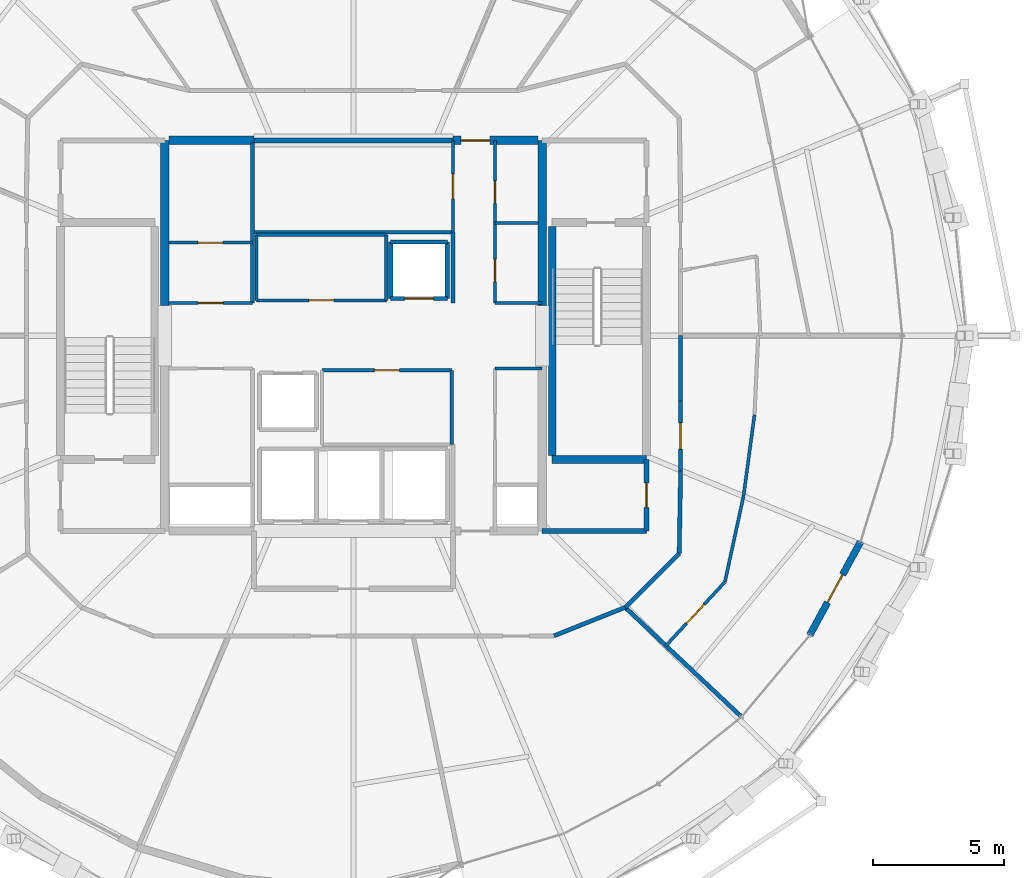
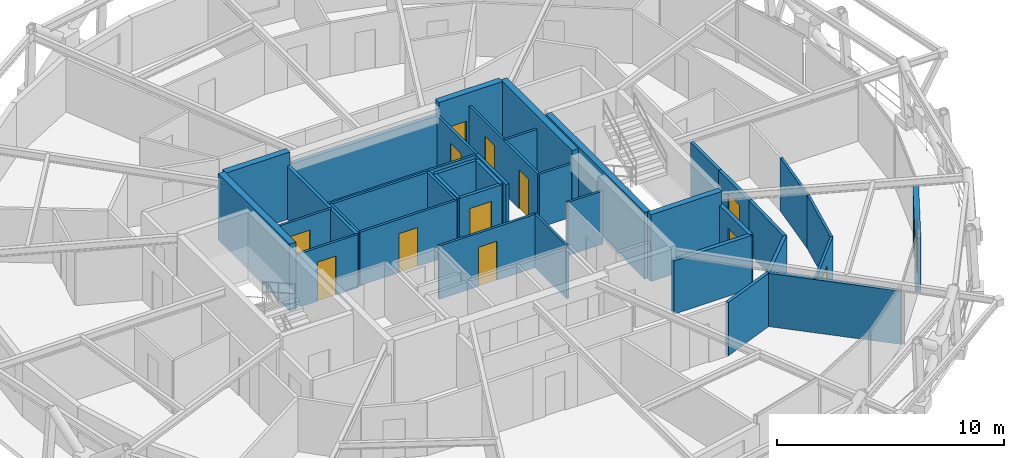
# One storey, part 15 of 18: 39 walls, 13 doors, 13 openings.
"""IFC4 building model written with IfcOpenShell, lengths in metres."""

from ifc_helpers import new_model, si_unit, direction, frame, frame_2d, origin, place, context, subcontext, project, spatial, rectangle, extrude, material, layer, layer_set, type_object, element, fill, save


model = new_model("IFC4")

# Units and contexts
model_context = context("Model", 3, precision=1e-05, world=origin(), true_north=direction((0.0, 1.0)))
body_context = subcontext(model_context, "Body", "Model", "MODEL_VIEW")
ifc_project = project(units=[si_unit("LENGTHUNIT", "METRE"), si_unit("AREAUNIT", "SQUARE_METRE"), si_unit("VOLUMEUNIT", "CUBIC_METRE"), si_unit("PLANEANGLEUNIT", "RADIAN"), si_unit("MASSUNIT", "GRAM", prefix="KILO")], contexts=[model_context])

# Site, building, storey
site_placement = place(None, origin())
site = spatial("IfcSite", under=ifc_project, at=site_placement, CompositionType="ELEMENT")
building_placement = place(site_placement, origin())
building = spatial("IfcBuilding", under=site, at=building_placement, Name="Veldorina Hangang Commons", CompositionType="ELEMENT")
storey_placement = place(building_placement, frame((0.0, 0.0, 243.60009765625)))
storey = spatial("IfcBuildingStorey", under=building, at=storey_placement, Name="L63", CompositionType="ELEMENT", Elevation=243.60009765625)

# Walls
ifc_material_1 = material(Name="Concrete C50/60", Category="concrete")
ifc_layer_1 = layer(ifc_material_1, 0.320068359375)
ifc_layer_set_1 = layer_set([ifc_layer_1], Name="Concrete C50/60")
wall_type_1 = type_object("IfcWallType", Name="CW-RC320-C50", PredefinedType="SHEAR", material=ifc_layer_set_1)
for number, where, z_axis, x_axis, name in (
    (1, (24.800048828125, 25.14990234375, 0.0), (0.0, 0.0, 1.0), (0.0, 1.0, 0.0), "L63 W north core shear wall"),
    (2, (39.199951171875, 25.14990234375, 0.0), (0.0, 0.0, 1.0), (0.0, 1.0, 0.0), "L63 E north core shear wall"),
):
    element("IfcWall", number, at=place(storey_placement, frame(where, z_axis=z_axis, x_axis=x_axis)), inside=storey, type_object=wall_type_1, Name=name, PredefinedType="SHEAR", context=body_context, shape_type="SweptSolid", body=[
        extrude(rectangle(XDim=6.300048828125, YDim=0.320068359375, at=frame_2d((3.14990234375, 0.0))), origin(), (0.0, 0.0, 1.0), 3.599853515625),
    ])
wall_1_placement = place(storey_placement, frame((24.9599609375, 31.449951171875, 0.0), z_axis=(0.0, 0.0, 1.0), x_axis=(1.0, 0.0, 0.0)))
element("IfcWall", 3, at=wall_1_placement, inside=storey, type_object=wall_type_1, Name="L63 north-west core shear wall", PredefinedType="SHEAR", context=body_context, shape_type="SweptSolid", body=[
    extrude(rectangle(XDim=3.239990234375, YDim=0.320068359375, at=frame_2d((1.6201171875, 0.0))), origin(), (0.0, 0.0, 1.0), 3.599853515625),
])

# Wall, opening, door
wall_2_placement = place(storey_placement, frame((35.800048828125, 31.449951171875, 0.0), z_axis=(0.0, 0.0, 1.0), x_axis=(1.0, 0.0, 0.0)))
wall_2 = element("IfcWall", 4, at=wall_2_placement, inside=storey, type_object=wall_type_1, Name="L63 north-east core shear wall", PredefinedType="SHEAR", context=body_context, shape_type="SweptSolid", body=[
    extrude(rectangle(XDim=3.239990234375, YDim=0.320068359375, at=frame_2d((1.6201171875, 0.0))), origin(), (0.0, 0.0, 1.0), 3.599853515625),
])
opening_1_placement = place(wall_2_placement, frame((0.300048828125, 0.0, 0.0)))
opening_1 = element("IfcOpeningElement", 5, at=opening_1_placement, cuts=wall_2, Name="Opening D-08", PredefinedType="OPENING", context=body_context, shape_type="SweptSolid", body=[
    extrude(rectangle(XDim=1.10009765625, YDim=2.10009765625, at=frame_2d((0.550048828125, 1.050048828125))), frame((0.0, 0.169921875, 0.0), z_axis=(0.0, -1.0, 0.0), x_axis=(1.0, 0.0, 0.0)), (0.0, 0.0, 1.0), 0.340087890625),
])
ifc_material_2 = material(Name="Steel Fire-Rated Smoke Seal", Category="steel")
door_type_1 = type_object("IfcDoorType", Name="DR-FIRE-1100", OperationType="SINGLE_SWING_RIGHT", PredefinedType="DOOR", material=ifc_material_2)
door_1_placement = place(opening_1_placement, origin())
door_1 = element("IfcDoor", 6, at=door_1_placement, inside=storey, type_object=door_type_1, Name="L63 central lift lobby north corridor door", OperationType="SINGLE_SWING_LEFT", OverallHeight=2.10009765625, OverallWidth=1.10009765625, PredefinedType="DOOR", context=body_context, shape_type="SweptSolid", body=[
    extrude(rectangle(XDim=1.10009765625, YDim=2.10009765625, at=frame_2d((0.550048828125, 1.050048828125))), frame((0.0, 0.02490234375, 0.0), z_axis=(0.0, -1.0, 0.0), x_axis=(1.0, 0.0, 0.0)), (0.0, 0.0, 1.0), 0.050048828125),
])
fill(opening_1, door_1)

ifc_material_3 = material(Name="Stone Roman Travertine", Category="masonry")
ifc_layer_2 = layer(ifc_material_3, 0.260009765625)
ifc_layer_set_2 = layer_set([ifc_layer_2], Name="Stone Roman Travertine")
wall_type_2 = type_object("IfcWallType", Name="EW-LOGGIA-260", PredefinedType="STANDARD", material=ifc_layer_set_2)
wall_3_placement = place(storey_placement, frame((49.4052734375, 12.576416015625, 0.0), z_axis=(0.0, 0.0, 1.0), x_axis=(0.4779981632, 0.878360834724, 0.0)))
wall_3 = element("IfcWall", 7, at=wall_3_placement, inside=storey, type_object=wall_type_2, Name="L63 sky-garden loggia portal wall 29", PredefinedType="STANDARD", context=body_context, shape_type="SweptSolid", body=[
    extrude(rectangle(XDim=4.047119140625, YDim=0.260009765625, at=frame_2d((2.0234375, 0.0))), origin(), (0.0, 0.0, 1.0), 2.8798828125),
])
opening_2_placement = place(wall_3_placement, frame((1.423583984375, 0.0, 0.0)))
opening_2 = element("IfcOpeningElement", 8, at=opening_2_placement, cuts=wall_3, Name="Opening BD-1200", PredefinedType="OPENING", context=body_context, shape_type="SweptSolid", body=[
    extrude(rectangle(XDim=1.199951171875, YDim=2.14990234375, at=frame_2d((0.60009765625, 1.074951171875))), frame((0.0, 0.14013671875, 0.0), z_axis=(0.0, -1.0, 0.0), x_axis=(1.0, 0.0, 0.0)), (0.0, 0.0, 1.0), 0.280029296875),
])
ifc_material_4 = material(Name="Glass Thermal Aluminium Frame", Category="aluminium")
door_type_2 = type_object("IfcDoorType", Name="DR-EXT-LOG1200", OperationType="SINGLE_SWING_LEFT", PredefinedType="DOOR", material=ifc_material_4)
door_2_placement = place(opening_2_placement, origin())
door_2 = element("IfcDoor", 9, at=door_2_placement, inside=storey, type_object=door_type_2, Name="L63 loggia glazed exterior door 29", OperationType="SINGLE_SWING_RIGHT", OverallHeight=2.14990234375, OverallWidth=1.199951171875, PredefinedType="DOOR", context=body_context, shape_type="SweptSolid", body=[
    extrude(rectangle(XDim=1.199951171875, YDim=2.14990234375, at=frame_2d((0.60009765625, 1.074951171875))), frame((0.0, 0.02490234375, 0.0), z_axis=(0.0, -1.0, 0.0), x_axis=(1.0, 0.0, 0.0)), (0.0, 0.0, 1.0), 0.050048828125),
])
fill(opening_2, door_2)

# Walls
ifc_layer_3 = layer(ifc_material_1, 0.300048828125)
ifc_layer_set_3 = layer_set([ifc_layer_3], Name="Concrete C50/60")
wall_type_3 = type_object("IfcWallType", Name="SW-STAIR-300", PredefinedType="SHEAR", material=ifc_layer_set_3)
wall_4_placement = place(storey_placement, frame((39.580078125, 19.429931640625, 0.0), z_axis=(0.0, 0.0, 1.0), x_axis=(0.0, 1.0, 0.0)))
element("IfcWall", 10, at=wall_4_placement, inside=storey, type_object=wall_type_3, Name="L63 ST2 inner stair shear wall", PredefinedType="SHEAR", context=body_context, shape_type="SweptSolid", body=[
    extrude(rectangle(XDim=8.739990234375, YDim=0.300048828125, at=frame_2d((4.3701171875, 0.0))), origin(), (0.0, 0.0, 1.0), 3.599853515625),
])
wall_5_placement = place(storey_placement, frame((39.580078125, 19.280029296875, 0.0), z_axis=(0.0, 0.0, 1.0), x_axis=(1.0, 0.0, 0.0)))
element("IfcWall", 11, at=wall_5_placement, inside=storey, type_object=wall_type_3, Name="L63 ST2 south stair shear wall", PredefinedType="SHEAR", context=body_context, shape_type="SweptSolid", body=[
    extrude(rectangle(XDim=3.599853515625, YDim=0.300048828125, at=frame_2d((1.7998046875, 0.0))), origin(), (0.0, 0.0, 1.0), 3.599853515625),
])
ifc_material_5 = material(Name="Gypsum Fire-Rated Twin Stud Wall", Category="gypsum")
ifc_layer_4 = layer(ifc_material_5, 0.159912109375)
ifc_layer_set_4 = layer_set([ifc_layer_4], Name="Gypsum Fire-Rated Twin Stud Wall")
wall_type_4 = type_object("IfcWallType", Name="WL-FIRE-160", PredefinedType="SOLIDWALL", material=ifc_layer_set_4)
wall_6_placement = place(storey_placement, frame((35.800048828125, 25.25, 0.0), z_axis=(0.0, 0.0, 1.0), x_axis=(0.0, 1.0, 0.0)))
element("IfcWall", 12, at=wall_6_placement, inside=storey, type_object=wall_type_4, Name="L63 Lift passage NW lower wall 011", PredefinedType="SOLIDWALL", context=body_context, shape_type="SweptSolid", body=[
    extrude(rectangle(XDim=2.699951171875, YDim=0.159912109375, at=frame_2d((1.35009765625, 0.0))), origin(), (0.0, 0.0, 1.0), 2.869873046875),
])

# Wall, opening, door
wall_7_placement = place(storey_placement, frame((33.419921875, 25.419921875, 0.0), z_axis=(0.0, 0.0, 1.0), x_axis=(1.0, 0.0, 0.0)))
wall_7 = element("IfcWall", 13, at=wall_7_placement, inside=storey, type_object=wall_type_4, Name="L63 Mid-high front shaft wall 015", PredefinedType="SOLIDWALL", context=body_context, shape_type="SweptSolid", body=[
    extrude(rectangle(XDim=2.16015625, YDim=0.159912109375, at=frame_2d((1.080078125, 0.0))), origin(), (0.0, 0.0, 1.0), 2.869873046875),
])
opening_3_placement = place(wall_7_placement, frame((0.530029296875, 0.0, 0.0)))
opening_3 = element("IfcOpeningElement", 14, at=opening_3_placement, cuts=wall_7, Name="Opening LD-01", PredefinedType="OPENING", context=body_context, shape_type="SweptSolid", body=[
    extrude(rectangle(XDim=1.10009765625, YDim=2.14990234375, at=frame_2d((0.550048828125, 1.074951171875))), frame((0.0, 0.08984375, 0.0), z_axis=(0.0, -1.0, 0.0), x_axis=(1.0, 0.0, 0.0)), (0.0, 0.0, 1.0), 0.179931640625),
])
ifc_material_6 = material(Name="Stainless Steel Brushed Lift Door", Category="steel")
door_type_3 = type_object("IfcDoorType", Name="DR-LIFT-1100", OperationType="SLIDING_TO_LEFT", PredefinedType="DOOR", material=ifc_material_6)
door_3_placement = place(opening_3_placement, origin())
door_3 = element("IfcDoor", 15, at=door_3_placement, inside=storey, type_object=door_type_3, Name="L63 Lift PL-H1 landing door 006", OperationType="SLIDING_TO_RIGHT", OverallHeight=2.14990234375, OverallWidth=1.10009765625, PredefinedType="DOOR", context=body_context, shape_type="SweptSolid", body=[
    extrude(rectangle(XDim=1.10009765625, YDim=2.14990234375, at=frame_2d((0.550048828125, 1.074951171875))), frame((0.0, 0.02490234375, 0.0), z_axis=(0.0, -1.0, 0.0), x_axis=(1.0, 0.0, 0.0)), (0.0, 0.0, 1.0), 0.050048828125),
])
fill(opening_3, door_3)

# Walls
for number, where, z_axis, x_axis, name in (
    (16, (33.419921875, 27.580078125, 0.0), (0.0, 0.0, 1.0), (1.0, 0.0, 0.0), "L63 Mid-high rear shaft wall 016"),
    (17, (33.419921875, 25.419921875, 0.0), (0.0, 0.0, 1.0), (0.0, 1.0, 0.0), "L63 PL-H1 west shaft wall 017"),
    (18, (35.580078125, 25.419921875, 0.0), (0.0, 0.0, 1.0), (0.0, 1.0, 0.0), "L63 PL-H1 east shaft wall 018"),
):
    element("IfcWall", number, at=place(storey_placement, frame(where, z_axis=z_axis, x_axis=x_axis)), inside=storey, type_object=wall_type_4, Name=name, PredefinedType="SOLIDWALL", context=body_context, shape_type="SweptSolid", body=[
        extrude(rectangle(XDim=2.16015625, YDim=0.159912109375, at=frame_2d((1.080078125, 0.0))), origin(), (0.0, 0.0, 1.0), 2.869873046875),
    ])
wall_8_placement = place(storey_placement, frame((28.14990234375, 25.25, 0.0), z_axis=(0.0, 0.0, 1.0), x_axis=(0.0, 1.0, 0.0)))
element("IfcWall", 19, at=wall_8_placement, inside=storey, type_object=wall_type_4, Name="L63 NW core inner wall 043", PredefinedType="SOLIDWALL", context=body_context, shape_type="SweptSolid", body=[
    extrude(rectangle(XDim=6.10009765625, YDim=0.159912109375, at=frame_2d((3.050048828125, 0.0))), origin(), (0.0, 0.0, 1.0), 2.869873046875),
])
wall_9_placement = place(storey_placement, frame((39.650634765625, 12.550048828125, 0.0), z_axis=(0.0, 0.0, 1.0), x_axis=(0.92856882165, 0.371160266542, 0.0)))
element("IfcWall", 20, at=wall_9_placement, inside=storey, type_object=wall_type_4, Name="L63 Compact collar outer wall 27 079", PredefinedType="SOLIDWALL", context=body_context, shape_type="SweptSolid", body=[
    extrude(rectangle(XDim=2.923095703125, YDim=0.159912109375, at=frame_2d((1.46142578125, 0.0))), origin(), (0.0, 0.0, 1.0), 2.869873046875),
])
wall_10_placement = place(storey_placement, frame((42.364990234375, 13.635009765625, 0.0), z_axis=(0.0, 0.0, 1.0), x_axis=(0.707106781187, 0.707106781187, 0.0)))
element("IfcWall", 21, at=wall_10_placement, inside=storey, type_object=wall_type_4, Name="L63 Compact collar outer wall 28 080", PredefinedType="SOLIDWALL", context=body_context, shape_type="SweptSolid", body=[
    extrude(rectangle(XDim=2.915771484375, YDim=0.159912109375, at=frame_2d((1.4580078125, 0.0))), origin(), (0.0, 0.0, 1.0), 2.869873046875),
])
wall_11_placement = place(storey_placement, frame((44.4267578125, 15.69677734375, 0.0), z_axis=(0.0, 0.0, 1.0), x_axis=(0.016981035134, 0.999855811828, 0.0)))
element("IfcWall", 22, at=wall_11_placement, inside=storey, type_object=wall_type_4, Name="L63 Compact collar outer wall 29 081", PredefinedType="SOLIDWALL", context=body_context, shape_type="SweptSolid", body=[
    extrude(rectangle(XDim=3.13427734375, YDim=0.159912109375, at=frame_2d((1.567138671875, 0.0))), origin(), (0.0, 0.0, 1.0), 2.869873046875),
])

# Wall, opening, door
wall_12_placement = place(storey_placement, frame((44.47998046875, 18.83056640625, 0.0), z_axis=(0.0, 0.0, 1.0), x_axis=(0.0, 1.0, 0.0)))
wall_12 = element("IfcWall", 23, at=wall_12_placement, inside=storey, type_object=wall_type_4, Name="L63 Compact collar outer wall 30 082", PredefinedType="SOLIDWALL", context=body_context, shape_type="SweptSolid", body=[
    extrude(rectangle(XDim=2.68701171875, YDim=0.159912109375, at=frame_2d((1.343505859375, 0.0))), origin(), (0.0, 0.0, 1.0), 2.869873046875),
])
opening_4_placement = place(wall_12_placement, frame((0.843505859375, 0.0, 0.0)))
opening_4 = element("IfcOpeningElement", 24, at=opening_4_placement, cuts=wall_12, Name="Opening D-05", PredefinedType="OPENING", context=body_context, shape_type="SweptSolid", body=[
    extrude(rectangle(XDim=1.0, YDim=2.10009765625, at=frame_2d((0.5, 1.050048828125))), frame((0.0, 0.08984375, 0.0), z_axis=(0.0, -1.0, 0.0), x_axis=(1.0, 0.0, 0.0)), (0.0, 0.0, 1.0), 0.179931640625),
])
ifc_material_7 = material(Name="Timber Solid Core Acoustic", Category="wood")
door_type_4 = type_object("IfcDoorType", Name="DR-INT-1000", OperationType="SINGLE_SWING_RIGHT", PredefinedType="DOOR", material=ifc_material_7)
door_4_placement = place(opening_4_placement, origin())
door_4 = element("IfcDoor", 25, at=door_4_placement, inside=storey, type_object=door_type_4, Name="L63 Commons alcove door 020", OperationType="SINGLE_SWING_RIGHT", OverallHeight=2.10009765625, OverallWidth=1.0, PredefinedType="DOOR", context=body_context, shape_type="SweptSolid", body=[
    extrude(rectangle(XDim=1.0, YDim=2.10009765625, at=frame_2d((0.5, 1.050048828125))), frame((0.0, 0.02490234375, 0.0), z_axis=(0.0, -1.0, 0.0), x_axis=(1.0, 0.0, 0.0)), (0.0, 0.0, 1.0), 0.050048828125),
])
fill(opening_4, door_4)

# Walls
wall_13_placement = place(storey_placement, frame((44.47998046875, 21.517578125, 0.0), z_axis=(0.0, 0.0, 1.0), x_axis=(0.0, 1.0, 0.0)))
element("IfcWall", 26, at=wall_13_placement, inside=storey, type_object=wall_type_4, Name="L63 Compact collar outer wall 31 083", PredefinedType="SOLIDWALL", context=body_context, shape_type="SweptSolid", body=[
    extrude(rectangle(XDim=2.482421875, YDim=0.159912109375, at=frame_2d((1.2412109375, 0.0))), origin(), (0.0, 0.0, 1.0), 2.869873046875),
])
wall_14_placement = place(storey_placement, frame((42.364990234375, 13.635009765625, 0.0), z_axis=(0.0, 0.0, 1.0), x_axis=(0.728335212041, -0.685221000044, 0.0)))
element("IfcWall", 27, at=wall_14_placement, inside=storey, type_object=wall_type_4, Name="L63 Unit party wall 28 084", PredefinedType="SOLIDWALL", context=body_context, shape_type="SweptSolid", body=[
    extrude(rectangle(XDim=6.0419921875, YDim=0.159912109375, at=frame_2d((3.02099609375, 0.0))), origin(), (0.0, 0.0, 1.0), 2.869873046875),
])

# Wall, opening, door
ifc_material_8 = material(Name="Concrete Blockwork Fire Wall C30/37", Category="masonry")
ifc_layer_5 = layer(ifc_material_8, 0.199951171875)
ifc_layer_set_5 = layer_set([ifc_layer_5], Name="Concrete Blockwork Fire Wall C30/37")
wall_type_5 = type_object("IfcWallType", Name="WL-FIRE-200", PredefinedType="SOLIDWALL", material=ifc_layer_set_5)
wall_15_placement = place(storey_placement, frame((43.179931640625, 16.550048828125, 0.0), z_axis=(0.0, 0.0, 1.0), x_axis=(0.0, 1.0, 0.0)))
wall_15 = element("IfcWall", 28, at=wall_15_placement, inside=storey, type_object=wall_type_5, Name="L63 SE core room outer wall 007", PredefinedType="SOLIDWALL", context=body_context, shape_type="SweptSolid", body=[
    extrude(rectangle(XDim=2.72998046875, YDim=0.199951171875, at=frame_2d((1.364990234375, 0.0))), origin(), (0.0, 0.0, 1.0), 2.869873046875),
])
opening_5_placement = place(wall_15_placement, frame((0.889892578125, 0.0, 0.0)))
opening_5 = element("IfcOpeningElement", 29, at=opening_5_placement, cuts=wall_15, Name="Opening D-02", PredefinedType="OPENING", context=body_context, shape_type="SweptSolid", body=[
    extrude(rectangle(XDim=0.949951171875, YDim=2.10009765625, at=frame_2d((0.47509765625, 1.050048828125))), frame((0.0, 0.10986328125, 0.0), z_axis=(0.0, -1.0, 0.0), x_axis=(1.0, 0.0, 0.0)), (0.0, 0.0, 1.0), 0.219970703125),
])
door_type_5 = type_object("IfcDoorType", Name="DR-INT-950", OperationType="SINGLE_SWING_LEFT", PredefinedType="DOOR", material=ifc_material_7)
door_5_placement = place(opening_5_placement, origin())
door_5 = element("IfcDoor", 30, at=door_5_placement, inside=storey, type_object=door_type_5, Name="L63 SE core WC door 004", OperationType="SINGLE_SWING_RIGHT", OverallHeight=2.10009765625, OverallWidth=0.949951171875, PredefinedType="DOOR", context=body_context, shape_type="SweptSolid", body=[
    extrude(rectangle(XDim=0.949951171875, YDim=2.10009765625, at=frame_2d((0.47509765625, 1.050048828125))), frame((0.0, 0.02490234375, 0.0), z_axis=(0.0, -1.0, 0.0), x_axis=(1.0, 0.0, 0.0)), (0.0, 0.0, 1.0), 0.050048828125),
])
fill(opening_5, door_5)

# Walls
wall_16_placement = place(storey_placement, frame((39.199951171875, 16.550048828125, 0.0), z_axis=(0.0, 0.0, 1.0), x_axis=(1.0, 0.0, 0.0)))
element("IfcWall", 31, at=wall_16_placement, inside=storey, type_object=wall_type_5, Name="L63 SE core room south wall 008", PredefinedType="SOLIDWALL", context=body_context, shape_type="SweptSolid", body=[
    extrude(rectangle(XDim=3.97998046875, YDim=0.199951171875, at=frame_2d((1.989990234375, 0.0))), origin(), (0.0, 0.0, 1.0), 2.869873046875),
])
wall_17_placement = place(storey_placement, frame((28.199951171875, 31.449951171875, 0.0), z_axis=(0.0, 0.0, 1.0), x_axis=(1.0, 0.0, 0.0)))
element("IfcWall", 32, at=wall_17_placement, inside=storey, type_object=wall_type_5, Name="L63 Merged north core wall 029", PredefinedType="SOLIDWALL", context=body_context, shape_type="SweptSolid", body=[
    extrude(rectangle(XDim=7.60009765625, YDim=0.199951171875, at=frame_2d((3.800048828125, 0.0))), origin(), (0.0, 0.0, 1.0), 2.869873046875),
])
ifc_material_9 = material(Name="Gypsum Acoustic Stud Partition", Category="gypsum")
ifc_layer_6 = layer(ifc_material_9, 0.1201171875)
ifc_layer_set_6 = layer_set([ifc_layer_6], Name="Gypsum Acoustic Stud Partition")
wall_type_6 = type_object("IfcWallType", Name="WL-PART-120", PredefinedType="PARTITIONING", material=ifc_layer_set_6)
wall_18_placement = place(storey_placement, frame((28.199951171875, 27.949951171875, 0.0), z_axis=(0.0, 0.0, 1.0), x_axis=(1.0, 0.0, 0.0)))
element("IfcWall", 33, at=wall_18_placement, inside=storey, type_object=wall_type_6, Name="L63 Merged north south wall 030", PredefinedType="PARTITIONING", context=body_context, shape_type="SweptSolid", body=[
    extrude(rectangle(XDim=7.60009765625, YDim=0.1201171875, at=frame_2d((3.800048828125, 0.0))), origin(), (0.0, 0.0, 1.0), 2.869873046875),
])

# Wall, opening, door
wall_19_placement = place(storey_placement, frame((35.800048828125, 27.949951171875, 0.0), z_axis=(0.0, 0.0, 1.0), x_axis=(0.0, 1.0, 0.0)))
wall_19 = element("IfcWall", 34, at=wall_19_placement, inside=storey, type_object=wall_type_6, Name="L63 Merged north east wall 031", PredefinedType="PARTITIONING", context=body_context, shape_type="SweptSolid", body=[
    extrude(rectangle(XDim=3.5, YDim=0.1201171875, at=frame_2d((1.75, 0.0))), origin(), (0.0, 0.0, 1.0), 2.869873046875),
])
opening_6_placement = place(wall_19_placement, frame((1.27490234375, 0.0, 0.0)))
opening_6 = element("IfcOpeningElement", 35, at=opening_6_placement, cuts=wall_19, Name="Opening D-02", PredefinedType="OPENING", context=body_context, shape_type="SweptSolid", body=[
    extrude(rectangle(XDim=0.949951171875, YDim=2.10009765625, at=frame_2d((0.47509765625, 1.050048828125))), frame((0.0, 0.070068359375, 0.0), z_axis=(0.0, -1.0, 0.0), x_axis=(1.0, 0.0, 0.0)), (0.0, 0.0, 1.0), 0.14013671875),
])
door_6_placement = place(opening_6_placement, origin())
door_6 = element("IfcDoor", 36, at=door_6_placement, inside=storey, type_object=door_type_5, Name="L63 Merged north room lobby door 011", OperationType="SINGLE_SWING_LEFT", OverallHeight=2.10009765625, OverallWidth=0.949951171875, PredefinedType="DOOR", context=body_context, shape_type="SweptSolid", body=[
    extrude(rectangle(XDim=0.949951171875, YDim=2.10009765625, at=frame_2d((0.47509765625, 1.050048828125))), frame((0.0, 0.02490234375, 0.0), z_axis=(0.0, -1.0, 0.0), x_axis=(1.0, 0.0, 0.0)), (0.0, 0.0, 1.0), 0.050048828125),
])
fill(opening_6, door_6)

wall_20_placement = place(storey_placement, frame((28.300048828125, 25.35009765625, 0.0), z_axis=(0.0, 0.0, 1.0), x_axis=(1.0, 0.0, 0.0)))
wall_20 = element("IfcWall", 37, at=wall_20_placement, inside=storey, type_object=wall_type_6, Name="L63 Merged mid-bank south wall 032", PredefinedType="PARTITIONING", context=body_context, shape_type="SweptSolid", body=[
    extrude(rectangle(XDim=4.949951171875, YDim=0.1201171875, at=frame_2d((2.47509765625, 0.0))), origin(), (0.0, 0.0, 1.0), 2.869873046875),
])
opening_7_placement = place(wall_20_placement, frame((2.0, 0.0, 0.0)))
opening_7 = element("IfcOpeningElement", 38, at=opening_7_placement, cuts=wall_20, Name="Opening D-02", PredefinedType="OPENING", context=body_context, shape_type="SweptSolid", body=[
    extrude(rectangle(XDim=0.949951171875, YDim=2.10009765625, at=frame_2d((0.47509765625, 1.050048828125))), frame((0.0, 0.070068359375, 0.0), z_axis=(0.0, -1.0, 0.0), x_axis=(1.0, 0.0, 0.0)), (0.0, 0.0, 1.0), 0.14013671875),
])
door_7_placement = place(opening_7_placement, origin())
door_7 = element("IfcDoor", 39, at=door_7_placement, inside=storey, type_object=door_type_5, Name="L63 Quiet study room door 012", OperationType="SINGLE_SWING_RIGHT", OverallHeight=2.10009765625, OverallWidth=0.949951171875, PredefinedType="DOOR", context=body_context, shape_type="SweptSolid", body=[
    extrude(rectangle(XDim=0.949951171875, YDim=2.10009765625, at=frame_2d((0.47509765625, 1.050048828125))), frame((0.0, 0.02490234375, 0.0), z_axis=(0.0, -1.0, 0.0), x_axis=(1.0, 0.0, 0.0)), (0.0, 0.0, 1.0), 0.050048828125),
])
fill(opening_7, door_7)

# Walls
wall_21_placement = place(storey_placement, frame((28.300048828125, 27.85009765625, 0.0), z_axis=(0.0, 0.0, 1.0), x_axis=(1.0, 0.0, 0.0)))
element("IfcWall", 40, at=wall_21_placement, inside=storey, type_object=wall_type_6, Name="L63 Merged mid-bank north wall 033", PredefinedType="PARTITIONING", context=body_context, shape_type="SweptSolid", body=[
    extrude(rectangle(XDim=4.949951171875, YDim=0.1201171875, at=frame_2d((2.47509765625, 0.0))), origin(), (0.0, 0.0, 1.0), 2.869873046875),
])
for number, where, z_axis, x_axis, name in (
    (41, (28.300048828125, 25.35009765625, 0.0), (0.0, 0.0, 1.0), (0.0, 1.0, 0.0), "L63 Merged mid-bank west wall 034"),
    (42, (33.25, 25.35009765625, 0.0), (0.0, 0.0, 1.0), (0.0, 1.0, 0.0), "L63 Merged mid-bank east wall 035"),
):
    element("IfcWall", number, at=place(storey_placement, frame(where, z_axis=z_axis, x_axis=x_axis)), inside=storey, type_object=wall_type_6, Name=name, PredefinedType="PARTITIONING", context=body_context, shape_type="SweptSolid", body=[
        extrude(rectangle(XDim=2.5, YDim=0.1201171875, at=frame_2d((1.25, 0.0))), origin(), (0.0, 0.0, 1.0), 2.869873046875),
    ])

# Wall, opening, door
wall_22_placement = place(storey_placement, frame((30.800048828125, 22.679931640625, 0.0), z_axis=(0.0, 0.0, 1.0), x_axis=(1.0, 0.0, 0.0)))
wall_22 = element("IfcWall", 43, at=wall_22_placement, inside=storey, type_object=wall_type_6, Name="L63 Merged shuttle north wall 036", PredefinedType="PARTITIONING", context=body_context, shape_type="SweptSolid", body=[
    extrude(rectangle(XDim=4.949951171875, YDim=0.1201171875, at=frame_2d((2.47509765625, 0.0))), origin(), (0.0, 0.0, 1.0), 2.869873046875),
])
opening_8_placement = place(wall_22_placement, frame((2.0, 0.0, 0.0)))
opening_8 = element("IfcOpeningElement", 44, at=opening_8_placement, cuts=wall_22, Name="Opening D-02", PredefinedType="OPENING", context=body_context, shape_type="SweptSolid", body=[
    extrude(rectangle(XDim=0.949951171875, YDim=2.10009765625, at=frame_2d((0.47509765625, 1.050048828125))), frame((0.0, 0.070068359375, 0.0), z_axis=(0.0, -1.0, 0.0), x_axis=(1.0, 0.0, 0.0)), (0.0, 0.0, 1.0), 0.14013671875),
])
door_8_placement = place(opening_8_placement, origin())
door_8 = element("IfcDoor", 45, at=door_8_placement, inside=storey, type_object=door_type_5, Name="L63 Floor tea pantry door 013", OperationType="SINGLE_SWING_LEFT", OverallHeight=2.10009765625, OverallWidth=0.949951171875, PredefinedType="DOOR", context=body_context, shape_type="SweptSolid", body=[
    extrude(rectangle(XDim=0.949951171875, YDim=2.10009765625, at=frame_2d((0.47509765625, 1.050048828125))), frame((0.0, 0.02490234375, 0.0), z_axis=(0.0, -1.0, 0.0), x_axis=(1.0, 0.0, 0.0)), (0.0, 0.0, 1.0), 0.050048828125),
])
fill(opening_8, door_8)

# Wall
wall_23_placement = place(storey_placement, frame((35.75, 19.85009765625, 0.0), z_axis=(0.0, 0.0, 1.0), x_axis=(0.0, 1.0, 0.0)))
element("IfcWall", 46, at=wall_23_placement, inside=storey, type_object=wall_type_6, Name="L63 Merged shuttle east wall 039", PredefinedType="PARTITIONING", context=body_context, shape_type="SweptSolid", body=[
    extrude(rectangle(XDim=2.829833984375, YDim=0.1201171875, at=frame_2d((1.4150390625, 0.0))), origin(), (0.0, 0.0, 1.0), 2.869873046875),
])

# Wall, opening, door
wall_24_placement = place(storey_placement, frame((24.949951171875, 25.25, 0.0), z_axis=(0.0, 0.0, 1.0), x_axis=(1.0, 0.0, 0.0)))
wall_24 = element("IfcWall", 47, at=wall_24_placement, inside=storey, type_object=wall_type_6, Name="L63 NW service south wall 044", PredefinedType="PARTITIONING", context=body_context, shape_type="SweptSolid", body=[
    extrude(rectangle(XDim=3.199951171875, YDim=0.1201171875, at=frame_2d((1.60009765625, 0.0))), origin(), (0.0, 0.0, 1.0), 2.869873046875),
])
opening_9_placement = place(wall_24_placement, frame((1.125, 0.0, 0.0)))
opening_9 = element("IfcOpeningElement", 48, at=opening_9_placement, cuts=wall_24, Name="Opening D-02", PredefinedType="OPENING", context=body_context, shape_type="SweptSolid", body=[
    extrude(rectangle(XDim=0.949951171875, YDim=2.10009765625, at=frame_2d((0.47509765625, 1.050048828125))), frame((0.0, 0.070068359375, 0.0), z_axis=(0.0, -1.0, 0.0), x_axis=(1.0, 0.0, 0.0)), (0.0, 0.0, 1.0), 0.14013671875),
])
door_9_placement = place(opening_9_placement, origin())
door_9 = element("IfcDoor", 49, at=door_9_placement, inside=storey, type_object=door_type_5, Name="L63 Housekeeping pantry door 014", OperationType="SINGLE_SWING_RIGHT", OverallHeight=2.10009765625, OverallWidth=0.949951171875, PredefinedType="DOOR", context=body_context, shape_type="SweptSolid", body=[
    extrude(rectangle(XDim=0.949951171875, YDim=2.10009765625, at=frame_2d((0.47509765625, 1.050048828125))), frame((0.0, 0.02490234375, 0.0), z_axis=(0.0, -1.0, 0.0), x_axis=(1.0, 0.0, 0.0)), (0.0, 0.0, 1.0), 0.050048828125),
])
fill(opening_9, door_9)

# Wall, openings, doors
wall_25_placement = place(storey_placement, frame((37.39990234375, 25.25, 0.0), z_axis=(0.0, 0.0, 1.0), x_axis=(0.0, 1.0, 0.0)))
wall_25 = element("IfcWall", 50, at=wall_25_placement, inside=storey, type_object=wall_type_6, Name="L63 NE strip lobby wall 046", PredefinedType="PARTITIONING", context=body_context, shape_type="SweptSolid", body=[
    extrude(rectangle(XDim=6.199951171875, YDim=0.1201171875, at=frame_2d((3.10009765625, 0.0))), origin(), (0.0, 0.0, 1.0), 2.869873046875),
])
opening_10_placement = place(wall_25_placement, frame((0.800048828125, 0.0, 0.0)))
opening_10 = element("IfcOpeningElement", 51, at=opening_10_placement, cuts=wall_25, Name="Opening D-01", PredefinedType="OPENING", context=body_context, shape_type="SweptSolid", body=[
    extrude(rectangle(XDim=0.860107421875, YDim=2.10009765625, at=frame_2d((0.43017578125, 1.050048828125))), frame((0.0, 0.070068359375, 0.0), z_axis=(0.0, -1.0, 0.0), x_axis=(1.0, 0.0, 0.0)), (0.0, 0.0, 1.0), 0.14013671875),
])
opening_11_placement = place(wall_25_placement, frame((3.800048828125, 0.0, 0.0)))
opening_11 = element("IfcOpeningElement", 52, at=opening_11_placement, cuts=wall_25, Name="Opening D-01", PredefinedType="OPENING", context=body_context, shape_type="SweptSolid", body=[
    extrude(rectangle(XDim=0.860107421875, YDim=2.10009765625, at=frame_2d((0.43017578125, 1.050048828125))), frame((0.0, 0.070068359375, 0.0), z_axis=(0.0, -1.0, 0.0), x_axis=(1.0, 0.0, 0.0)), (0.0, 0.0, 1.0), 0.14013671875),
])
ifc_material_10 = material(Name="Timber Moisture-Resistant Core", Category="wood")
door_type_6 = type_object("IfcDoorType", Name="DR-WET-860", OperationType="SINGLE_SWING_LEFT", PredefinedType="DOOR", material=ifc_material_10)
door_10_placement = place(opening_10_placement, origin())
door_10 = element("IfcDoor", 53, at=door_10_placement, inside=storey, type_object=door_type_6, Name="L63 Electrical closet door 017", OperationType="SINGLE_SWING_LEFT", OverallHeight=2.10009765625, OverallWidth=0.860107421875, PredefinedType="DOOR", context=body_context, shape_type="SweptSolid", body=[
    extrude(rectangle(XDim=0.860107421875, YDim=2.10009765625, at=frame_2d((0.43017578125, 1.050048828125))), frame((0.0, 0.02490234375, 0.0), z_axis=(0.0, -1.0, 0.0), x_axis=(1.0, 0.0, 0.0)), (0.0, 0.0, 1.0), 0.050048828125),
])
fill(opening_10, door_10)
door_11_placement = place(opening_11_placement, origin())
door_11 = element("IfcDoor", 54, at=door_11_placement, inside=storey, type_object=door_type_6, Name="L63 IT closet door 018", OperationType="SINGLE_SWING_RIGHT", OverallHeight=2.10009765625, OverallWidth=0.860107421875, PredefinedType="DOOR", context=body_context, shape_type="SweptSolid", body=[
    extrude(rectangle(XDim=0.860107421875, YDim=2.10009765625, at=frame_2d((0.43017578125, 1.050048828125))), frame((0.0, 0.02490234375, 0.0), z_axis=(0.0, -1.0, 0.0), x_axis=(1.0, 0.0, 0.0)), (0.0, 0.0, 1.0), 0.050048828125),
])
fill(opening_11, door_11)

# Walls
for number, where, z_axis, x_axis, name in (
    (55, (37.39990234375, 25.25, 0.0), (0.0, 0.0, 1.0), (1.0, 0.0, 0.0), "L63 NE strip south return wall 047"),
    (56, (37.39990234375, 22.75, 0.0), (0.0, 0.0, 1.0), (1.0, 0.0, 0.0), "L63 SE strip north return wall 049"),
):
    element("IfcWall", number, at=place(storey_placement, frame(where, z_axis=z_axis, x_axis=x_axis)), inside=storey, type_object=wall_type_6, Name=name, PredefinedType="PARTITIONING", context=body_context, shape_type="SweptSolid", body=[
        extrude(rectangle(XDim=1.800048828125, YDim=0.1201171875, at=frame_2d((0.89990234375, 0.0))), origin(), (0.0, 0.0, 1.0), 2.869873046875),
    ])

# Wall, opening, door
wall_26_placement = place(storey_placement, frame((24.949951171875, 27.550048828125, 0.0), z_axis=(0.0, 0.0, 1.0), x_axis=(1.0, 0.0, 0.0)))
wall_26 = element("IfcWall", 57, at=wall_26_placement, inside=storey, type_object=wall_type_6, Name="L63 NW mid wall 050", PredefinedType="PARTITIONING", context=body_context, shape_type="SweptSolid", body=[
    extrude(rectangle(XDim=3.199951171875, YDim=0.1201171875, at=frame_2d((1.60009765625, 0.0))), origin(), (0.0, 0.0, 1.0), 2.869873046875),
])
opening_12_placement = place(wall_26_placement, frame((1.125, 0.0, 0.0)))
opening_12 = element("IfcOpeningElement", 58, at=opening_12_placement, cuts=wall_26, Name="Opening D-02", PredefinedType="OPENING", context=body_context, shape_type="SweptSolid", body=[
    extrude(rectangle(XDim=0.949951171875, YDim=2.10009765625, at=frame_2d((0.47509765625, 1.050048828125))), frame((0.0, 0.070068359375, 0.0), z_axis=(0.0, -1.0, 0.0), x_axis=(1.0, 0.0, 0.0)), (0.0, 0.0, 1.0), 0.14013671875),
])
door_12_placement = place(opening_12_placement, origin())
door_12 = element("IfcDoor", 59, at=door_12_placement, inside=storey, type_object=door_type_5, Name="L63 Bedding store door 015", OperationType="SINGLE_SWING_LEFT", OverallHeight=2.10009765625, OverallWidth=0.949951171875, PredefinedType="DOOR", context=body_context, shape_type="SweptSolid", body=[
    extrude(rectangle(XDim=0.949951171875, YDim=2.10009765625, at=frame_2d((0.47509765625, 1.050048828125))), frame((0.0, 0.02490234375, 0.0), z_axis=(0.0, -1.0, 0.0), x_axis=(1.0, 0.0, 0.0)), (0.0, 0.0, 1.0), 0.050048828125),
])
fill(opening_12, door_12)

# Wall
wall_27_placement = place(storey_placement, frame((37.39990234375, 28.300048828125, 0.0), z_axis=(0.0, 0.0, 1.0), x_axis=(1.0, 0.0, 0.0)))
element("IfcWall", 60, at=wall_27_placement, inside=storey, type_object=wall_type_6, Name="L63 NE mid wall 051", PredefinedType="PARTITIONING", context=body_context, shape_type="SweptSolid", body=[
    extrude(rectangle(XDim=1.650146484375, YDim=0.1201171875, at=frame_2d((0.8251953125, 0.0))), origin(), (0.0, 0.0, 1.0), 2.869873046875),
])

# Wall, opening, door
wall_28_placement = place(storey_placement, frame((43.91796875, 12.174072265625, 0.0), z_axis=(0.0, 0.0, 1.0), x_axis=(0.679543218501, 0.733635477733, 0.0)))
wall_28 = element("IfcWall", 61, at=wall_28_placement, inside=storey, type_object=wall_type_6, Name="L63 Lounge alcove split 0 085", PredefinedType="PARTITIONING", context=body_context, shape_type="SweptSolid", body=[
    extrude(rectangle(XDim=3.312744140625, YDim=0.1201171875, at=frame_2d((1.65625, 0.0))), origin(), (0.0, 0.0, 1.0), 2.869873046875),
])
opening_13_placement = place(wall_28_placement, frame((1.156494140625, 0.0, 0.0)))
opening_13 = element("IfcOpeningElement", 62, at=opening_13_placement, cuts=wall_28, Name="Opening D-05", PredefinedType="OPENING", context=body_context, shape_type="SweptSolid", body=[
    extrude(rectangle(XDim=1.0, YDim=2.10009765625, at=frame_2d((0.5, 1.050048828125))), frame((0.0, 0.070068359375, 0.0), z_axis=(0.0, -1.0, 0.0), x_axis=(1.0, 0.0, 0.0)), (0.0, 0.0, 1.0), 0.14013671875),
])
door_13_placement = place(opening_13_placement, origin())
door_13 = element("IfcDoor", 63, at=door_13_placement, inside=storey, type_object=door_type_4, Name="L63 Commons lounge door 021", OperationType="SINGLE_SWING_LEFT", OverallHeight=2.10009765625, OverallWidth=1.0, PredefinedType="DOOR", context=body_context, shape_type="SweptSolid", body=[
    extrude(rectangle(XDim=1.0, YDim=2.10009765625, at=frame_2d((0.5, 1.050048828125))), frame((0.0, 0.02490234375, 0.0), z_axis=(0.0, -1.0, 0.0), x_axis=(1.0, 0.0, 0.0)), (0.0, 0.0, 1.0), 0.050048828125),
])
fill(opening_13, door_13)

# Walls
wall_29_placement = place(storey_placement, frame((46.169189453125, 14.6044921875, 0.0), z_axis=(0.0, 0.0, 1.0), x_axis=(0.211961703206, 0.97727797293, 0.0)))
element("IfcWall", 64, at=wall_29_placement, inside=storey, type_object=wall_type_6, Name="L63 Lounge alcove split 1 086", PredefinedType="PARTITIONING", context=body_context, shape_type="SweptSolid", body=[
    extrude(rectangle(XDim=3.357421875, YDim=0.1201171875, at=frame_2d((1.6787109375, 0.0))), origin(), (0.0, 0.0, 1.0), 2.869873046875),
])
wall_30_placement = place(storey_placement, frame((46.880859375, 17.8857421875, 0.0), z_axis=(0.0, 0.0, 1.0), x_axis=(0.133453335491, 0.991055097987, 0.0)))
element("IfcWall", 65, at=wall_30_placement, inside=storey, type_object=wall_type_6, Name="L63 Lounge alcove split 2 087", PredefinedType="PARTITIONING", context=body_context, shape_type="SweptSolid", body=[
    extrude(rectangle(XDim=3.12451171875, YDim=0.1201171875, at=frame_2d((1.562255859375, 0.0))), origin(), (0.0, 0.0, 1.0), 2.869873046875),
])

save(model, "model.ifc")
